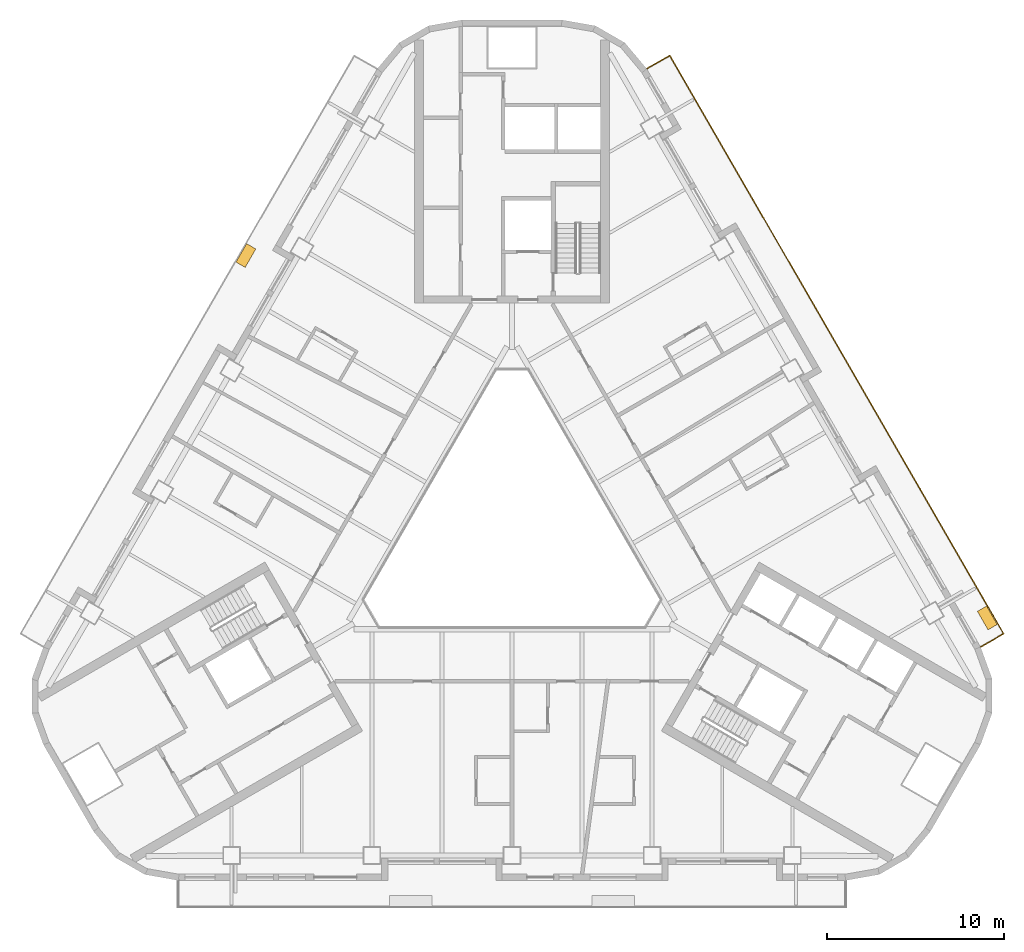
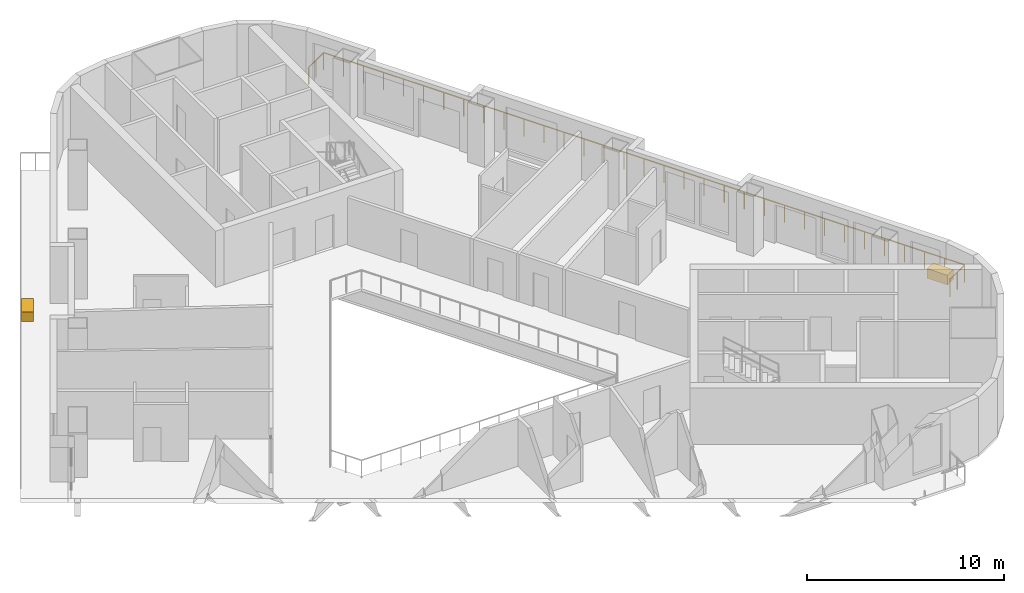
# One storey, part 12 of 13: 2 coverings, 1 railing.
"""IFC4 building model written with IfcOpenShell, lengths in metres."""

import ifcopenshell
import ifcopenshell.guid

model = None  # the IFC model being written
_history = None  # IfcOwnerHistory: only IFC2X3 demands one
_inside = {}  # id of a spatial element -> (the spatial element, [elements in it])
_under = {}  # id of a project, library or spatial element -> (it, [spatial elements below it])
_declared = {}  # id of a project -> (the project, [libraries it declares])
_typed = {}  # id of a type object -> (the type object, [elements of that type])
_made_of = {}  # id of a material, layer set ... -> (it, [elements and type objects made of it])


def new_model(schema):
    """Start an empty IFC model of exactly this schema.

    Asked for "IFC4X3", IfcOpenShell would pick the latest addendum, in which some entities
    have other attributes; the version numbers below select the first issue.
    IFC2X3 requires an IfcOwnerHistory on every rooted entity: one is made here for all.
    """
    global model, _history
    if schema == "IFC4X3":
        model = ifcopenshell.file(schema_version=(4, 3, 0, 0))
    else:
        model = ifcopenshell.file(schema=schema)
    _inside.clear()
    _under.clear()
    _declared.clear()
    _typed.clear()
    _made_of.clear()
    _history = None
    if model.schema == "IFC2X3":
        org = make("IfcOrganization", Name="unknown")
        user = make(
            "IfcPersonAndOrganization",
            ThePerson=make("IfcPerson", FamilyName="unknown"),
            TheOrganization=org,
        )
        app = make(
            "IfcApplication",
            ApplicationDeveloper=org,
            Version="unknown",
            ApplicationFullName="unknown",
            ApplicationIdentifier="unknown",
        )
        _history = make(
            "IfcOwnerHistory",
            OwningUser=user,
            OwningApplication=app,
            ChangeAction="ADDED",
            CreationDate=0,
        )
    return model


def make(cls, **values):
    """One entity of the class cls with the attributes given. An attribute that is None is left unset."""
    return model.create_entity(
        cls, **{name: value for name, value in values.items() if value is not None}
    )


def rooted(cls, **values):
    """An entity with a GlobalId (a new one), such as an element, a storey or a relation."""
    return make(cls, GlobalId=ifcopenshell.guid.new(), OwnerHistory=_history, **values)


def si_unit(unit_type, name, prefix=None):
    """IfcSIUnit, for example si_unit("LENGTHUNIT", "METRE", prefix="MILLI")."""
    return make("IfcSIUnit", UnitType=unit_type, Prefix=prefix, Name=name)


def assignment(units):
    """IfcUnitAssignment: the units of a project."""
    return None if units is None else make("IfcUnitAssignment", Units=units)


def point(xyz):
    """IfcCartesianPoint."""
    return None if xyz is None else make("IfcCartesianPoint", Coordinates=xyz)


def direction(xyz):
    """IfcDirection."""
    return None if xyz is None else make("IfcDirection", DirectionRatios=xyz)


def frame(location, z_axis=None, x_axis=None):
    """IfcAxis2Placement3D, a coordinate frame: its origin and axes. An axis left out is left unset."""
    return make(
        "IfcAxis2Placement3D",
        Location=point(location),
        Axis=direction(z_axis),
        RefDirection=direction(x_axis),
    )


def frame_2d(location, x_axis=None):
    """IfcAxis2Placement2D, a coordinate frame in the plane: its origin and x axis."""
    return make(
        "IfcAxis2Placement2D", Location=point(location), RefDirection=direction(x_axis)
    )


def origin():
    """The frame at (0, 0, 0) with its axes left unset."""
    return frame((0.0, 0.0, 0.0))


def origin_2d():
    """The frame at (0, 0) in the plane with its x axis left unset."""
    return frame_2d((0.0, 0.0))


def place(relative_to, where):
    """IfcLocalPlacement: puts the frame where relative to a parent placement (None: the world)."""
    return make(
        "IfcLocalPlacement", PlacementRelTo=relative_to, RelativePlacement=where
    )


def context(
    kind, dimensions, precision=None, world=None, true_north=None, identifier=None
):
    """IfcGeometricRepresentationContext, for example the 3D "Model" context."""
    return make(
        "IfcGeometricRepresentationContext",
        ContextIdentifier=identifier,
        ContextType=kind,
        CoordinateSpaceDimension=dimensions,
        Precision=precision,
        WorldCoordinateSystem=world,
        TrueNorth=true_north,
    )


def subcontext(parent, identifier, kind, view, scale=None):
    """IfcGeometricRepresentationSubContext, for example "Body" below "Model"."""
    return make(
        "IfcGeometricRepresentationSubContext",
        ContextIdentifier=identifier,
        ContextType=kind,
        ParentContext=parent,
        TargetScale=scale,
        TargetView=view,
    )


def project(units=None, contexts=None):
    """IfcProject with its units and contexts."""
    return rooted(
        "IfcProject",
        Name="project",
        RepresentationContexts=contexts,
        UnitsInContext=assignment(units),
    )


def spatial(cls, under=None, at=None, **own):
    """A site, building, storey or space (cls), placed at a placement, below another one or the project."""
    s = rooted(cls, ObjectPlacement=at, **own)
    if under is not None:
        _under.setdefault(under.id(), (under, []))[1].append(s)
    return s


def profile(cls, at=None, kind="AREA", **sizes):
    """A parametric profile (cls). Its sizes go by their IFC names, for example OverallWidth=200.0."""
    return make(cls, ProfileType=kind, Position=at, **sizes)


def rectangle(**sizes):
    """IfcRectangleProfileDef."""
    return profile("IfcRectangleProfileDef", **sizes)


def extrude(swept, where, along, depth):
    """IfcExtrudedAreaSolid: the profile swept, set in the frame where, extruded along a direction by depth."""
    return make(
        "IfcExtrudedAreaSolid",
        SweptArea=swept,
        Position=where,
        ExtrudedDirection=direction(along),
        Depth=depth,
    )


def shape(context_of_items, identifier, shape_type, items):
    """IfcShapeRepresentation: the items that make up one representation, for example the "Body"."""
    return make(
        "IfcShapeRepresentation",
        ContextOfItems=context_of_items,
        RepresentationIdentifier=identifier,
        RepresentationType=shape_type,
        Items=items,
    )


def material(Name=None, Category=None):
    """IfcMaterial."""
    return make("IfcMaterial", Name=Name, Category=Category)


def made_of(thing, what):
    """Note that an element or type object is made of a material, layer set ...; save() writes the relation."""
    if what is not None:
        _made_of.setdefault(what.id(), (what, []))[1].append(thing)
    return thing


def type_object(cls, material=None, **own):
    """A type object (cls), such as IfcWallType, which elements share."""
    return made_of(rooted(cls, **own), material)


def element(
    cls,
    number,
    at=None,
    inside=None,
    cuts=None,
    type_object=None,
    material=None,
    context=None,
    identifier="Body",
    shape_type=None,
    held_by="IfcProductDefinitionShape",
    body=None,
    shapes=None,
    **own,
):
    """One element of the class cls, such as IfcWall. Its Tag is "e" and its number.

    at: its placement. inside: the storey or other place that contains it. cuts: it is an
    opening in that element (IfcRelVoidsElement). A single representation is given by context,
    identifier, shape_type and body (its items); several are given by shapes. held_by: the class
    of the entity that holds the representations. save() writes the other relations.
    """
    e = rooted(cls, Tag="e%d" % number, ObjectPlacement=at, **own)
    if body is not None:
        shapes = [shape(context, identifier, shape_type, body)]
    if shapes is not None:
        e.Representation = make(held_by, Representations=shapes)
    if inside is not None:
        _inside.setdefault(inside.id(), (inside, []))[1].append(e)
    if cuts is not None:
        rooted(
            "IfcRelVoidsElement", RelatingBuildingElement=cuts, RelatedOpeningElement=e
        )
    if type_object is not None:
        _typed.setdefault(type_object.id(), (type_object, []))[1].append(e)
    return made_of(e, material)


def aggregate(whole, parts):
    """IfcRelAggregates: a whole, such as a stair, and the parts it consists of."""
    return rooted("IfcRelAggregates", RelatingObject=whole, RelatedObjects=parts)


def save(model, path):
    """Write the relations noted so far, then the file.

    IfcRelAggregates (storeys below a building ...), IfcRelContainedInSpatialStructure (elements
    in a storey), IfcRelDefinesByType, IfcRelAssociatesMaterial and IfcRelDeclares: one each for
    every whole, place, type object, material and project.
    """
    for whole, parts in _under.values():
        aggregate(whole, parts)
    for where, things in _inside.values():
        rooted(
            "IfcRelContainedInSpatialStructure",
            RelatedElements=things,
            RelatingStructure=where,
        )
    for kind, things in _typed.values():
        rooted("IfcRelDefinesByType", RelatedObjects=things, RelatingType=kind)
    for what, things in _made_of.values():
        rooted("IfcRelAssociatesMaterial", RelatedObjects=things, RelatingMaterial=what)
    for by, libraries in _declared.values():
        rooted("IfcRelDeclares", RelatingContext=by, RelatedDefinitions=libraries)
    model.write(path)


model = new_model("IFC4")

# Units and contexts
model_context = context("Model", 3, precision=1e-05, world=origin(), true_north=direction((0.0, 1.0)))
body_context = subcontext(model_context, "Body", "Model", "MODEL_VIEW")
ifc_project = project(units=[si_unit("LENGTHUNIT", "METRE"), si_unit("AREAUNIT", "SQUARE_METRE"), si_unit("VOLUMEUNIT", "CUBIC_METRE"), si_unit("PLANEANGLEUNIT", "RADIAN"), si_unit("MASSUNIT", "GRAM", prefix="KILO")], contexts=[model_context])

# Site, building, storey
site_placement = place(None, origin())
site = spatial("IfcSite", under=ifc_project, at=site_placement, CompositionType="ELEMENT")
building_placement = place(site_placement, origin())
building = spatial("IfcBuilding", under=site, at=building_placement, Name="Apuvela Tower Hotel", CompositionType="ELEMENT")
storey_placement = place(building_placement, frame((0.0, 0.0, 65.0)))
storey = spatial("IfcBuildingStorey", under=building, at=storey_placement, Name="L13", CompositionType="ELEMENT", Elevation=65.0)

# Railing
ifc_material_1 = material(Name="Stainless steel 316 rail with laminated glass infill", Category="steel")
railing_type = type_object("IfcRailingType", Name="ENV-GUARD-1100", PredefinedType="GUARDRAIL", material=ifc_material_1)
railing_placement = place(storey_placement, frame((26.407958984375, -6.47998046875, 0.0)))
element("IfcRailing", 1, at=railing_placement, inside=storey, type_object=railing_type, Name="Balcony guard NE L13", PredefinedType="GUARDRAIL", context=body_context, shape_type="SweptSolid", body=[
    extrude(rectangle(XDim=0.050048828125, YDim=0.050048828125, at=origin_2d()), frame((0.0, 0.0, 1.0751953125), z_axis=(0.866031096941, 0.499990139034, 0.0), x_axis=(-0.499990139034, 0.866031096941, 0.0)), (0.0, 0.0, 1.0), 1.5),
    extrude(rectangle(XDim=0.050048828125, YDim=0.050048828125, at=origin_2d()), frame((1.299072265625, 0.75, 1.0751953125), z_axis=(-0.500000437506, 0.86602515119, 0.0), x_axis=(-0.86602515119, -0.500000437506, 0.0)), (0.0, 0.0, 1.0), 37.6318359375),
    extrude(rectangle(XDim=0.050048828125, YDim=0.050048828125, at=origin_2d()), frame((-17.516845703125, 33.340087890625, 1.0751953125), z_axis=(-0.86599040064, -0.500060622324, 0.0), x_axis=(0.500060622324, -0.86599040064, 0.0)), (0.0, 0.0, 1.0), 1.499755859375),
    extrude(rectangle(XDim=0.0400390625, YDim=0.0400390625, at=origin_2d()), origin(), (0.0, 0.0, 1.0), 1.050048828125),
    extrude(rectangle(XDim=0.0400390625, YDim=0.0400390625, at=origin_2d()), frame((0.6494140625, 0.375, 0.0)), (0.0, 0.0, 1.0), 1.050048828125),
    extrude(rectangle(XDim=0.0400390625, YDim=0.0400390625, at=origin_2d()), frame((1.299072265625, 0.75, 0.0)), (0.0, 0.0, 1.0), 1.050048828125),
    extrude(rectangle(XDim=0.0400390625, YDim=0.0400390625, at=origin_2d()), frame((0.711181640625, 1.7685546875, 0.0)), (0.0, 0.0, 1.0), 1.050048828125),
    extrude(rectangle(XDim=0.0400390625, YDim=0.0400390625, at=origin_2d()), frame((0.123046875, 2.786865234375, 0.0)), (0.0, 0.0, 1.0), 1.050048828125),
    extrude(rectangle(XDim=0.0400390625, YDim=0.0400390625, at=origin_2d()), frame((-0.46484375, 3.805419921875, 0.0)), (0.0, 0.0, 1.0), 1.050048828125),
    extrude(rectangle(XDim=0.0400390625, YDim=0.0400390625, at=origin_2d()), frame((-1.052978515625, 4.82373046875, 0.0)), (0.0, 0.0, 1.0), 1.050048828125),
    extrude(rectangle(XDim=0.0400390625, YDim=0.0400390625, at=origin_2d()), frame((-1.640869140625, 5.84228515625, 0.0)), (0.0, 0.0, 1.0), 1.050048828125),
    extrude(rectangle(XDim=0.0400390625, YDim=0.0400390625, at=origin_2d()), frame((-2.22900390625, 6.860595703125, 0.0)), (0.0, 0.0, 1.0), 1.050048828125),
    extrude(rectangle(XDim=0.0400390625, YDim=0.0400390625, at=origin_2d()), frame((-2.81689453125, 7.879150390625, 0.0)), (0.0, 0.0, 1.0), 1.050048828125),
    extrude(rectangle(XDim=0.0400390625, YDim=0.0400390625, at=origin_2d()), frame((-3.40478515625, 8.8974609375, 0.0)), (0.0, 0.0, 1.0), 1.050048828125),
    extrude(rectangle(XDim=0.0400390625, YDim=0.0400390625, at=origin_2d()), frame((-3.992919921875, 9.916015625, 0.0)), (0.0, 0.0, 1.0), 1.050048828125),
    extrude(rectangle(XDim=0.0400390625, YDim=0.0400390625, at=origin_2d()), frame((-4.580810546875, 10.934326171875, 0.0)), (0.0, 0.0, 1.0), 1.050048828125),
    extrude(rectangle(XDim=0.0400390625, YDim=0.0400390625, at=origin_2d()), frame((-5.1689453125, 11.952880859375, 0.0)), (0.0, 0.0, 1.0), 1.050048828125),
    extrude(rectangle(XDim=0.0400390625, YDim=0.0400390625, at=origin_2d()), frame((-5.7568359375, 12.97119140625, 0.0)), (0.0, 0.0, 1.0), 1.050048828125),
    extrude(rectangle(XDim=0.0400390625, YDim=0.0400390625, at=origin_2d()), frame((-6.344970703125, 13.98974609375, 0.0)), (0.0, 0.0, 1.0), 1.050048828125),
    extrude(rectangle(XDim=0.0400390625, YDim=0.0400390625, at=origin_2d()), frame((-6.932861328125, 15.008056640625, 0.0)), (0.0, 0.0, 1.0), 1.050048828125),
    extrude(rectangle(XDim=0.0400390625, YDim=0.0400390625, at=origin_2d()), frame((-7.52099609375, 16.026611328125, 0.0)), (0.0, 0.0, 1.0), 1.050048828125),
    extrude(rectangle(XDim=0.0400390625, YDim=0.0400390625, at=origin_2d()), frame((-8.10888671875, 17.044921875, 0.0)), (0.0, 0.0, 1.0), 1.050048828125),
    extrude(rectangle(XDim=0.0400390625, YDim=0.0400390625, at=origin_2d()), frame((-8.69677734375, 18.0634765625, 0.0)), (0.0, 0.0, 1.0), 1.050048828125),
    extrude(rectangle(XDim=0.0400390625, YDim=0.0400390625, at=origin_2d()), frame((-9.284912109375, 19.08203125, 0.0)), (0.0, 0.0, 1.0), 1.050048828125),
    extrude(rectangle(XDim=0.0400390625, YDim=0.0400390625, at=origin_2d()), frame((-9.872802734375, 20.100341796875, 0.0)), (0.0, 0.0, 1.0), 1.050048828125),
    extrude(rectangle(XDim=0.0400390625, YDim=0.0400390625, at=origin_2d()), frame((-10.4609375, 21.118896484375, 0.0)), (0.0, 0.0, 1.0), 1.050048828125),
    extrude(rectangle(XDim=0.0400390625, YDim=0.0400390625, at=origin_2d()), frame((-11.048828125, 22.13720703125, 0.0)), (0.0, 0.0, 1.0), 1.050048828125),
    extrude(rectangle(XDim=0.0400390625, YDim=0.0400390625, at=origin_2d()), frame((-11.636962890625, 23.15576171875, 0.0)), (0.0, 0.0, 1.0), 1.050048828125),
    extrude(rectangle(XDim=0.0400390625, YDim=0.0400390625, at=origin_2d()), frame((-12.224853515625, 24.174072265625, 0.0)), (0.0, 0.0, 1.0), 1.050048828125),
    extrude(rectangle(XDim=0.0400390625, YDim=0.0400390625, at=origin_2d()), frame((-12.81298828125, 25.192626953125, 0.0)), (0.0, 0.0, 1.0), 1.050048828125),
    extrude(rectangle(XDim=0.0400390625, YDim=0.0400390625, at=origin_2d()), frame((-13.40087890625, 26.2109375, 0.0)), (0.0, 0.0, 1.0), 1.050048828125),
    extrude(rectangle(XDim=0.0400390625, YDim=0.0400390625, at=origin_2d()), frame((-13.98876953125, 27.2294921875, 0.0)), (0.0, 0.0, 1.0), 1.050048828125),
    extrude(rectangle(XDim=0.0400390625, YDim=0.0400390625, at=origin_2d()), frame((-14.576904296875, 28.247802734375, 0.0)), (0.0, 0.0, 1.0), 1.050048828125),
    extrude(rectangle(XDim=0.0400390625, YDim=0.0400390625, at=origin_2d()), frame((-15.164794921875, 29.266357421875, 0.0)), (0.0, 0.0, 1.0), 1.050048828125),
    extrude(rectangle(XDim=0.0400390625, YDim=0.0400390625, at=origin_2d()), frame((-15.7529296875, 30.28466796875, 0.0)), (0.0, 0.0, 1.0), 1.050048828125),
    extrude(rectangle(XDim=0.0400390625, YDim=0.0400390625, at=origin_2d()), frame((-16.3408203125, 31.30322265625, 0.0)), (0.0, 0.0, 1.0), 1.050048828125),
    extrude(rectangle(XDim=0.0400390625, YDim=0.0400390625, at=origin_2d()), frame((-16.928955078125, 32.321533203125, 0.0)), (0.0, 0.0, 1.0), 1.050048828125),
    extrude(rectangle(XDim=0.0400390625, YDim=0.0400390625, at=origin_2d()), frame((-17.516845703125, 33.340087890625, 0.0)), (0.0, 0.0, 1.0), 1.050048828125),
    extrude(rectangle(XDim=0.0400390625, YDim=0.0400390625, at=origin_2d()), frame((-18.166259765625, 32.965087890625, 0.0)), (0.0, 0.0, 1.0), 1.050048828125),
    extrude(rectangle(XDim=0.0400390625, YDim=0.0400390625, at=origin_2d()), frame((-18.815673828125, 32.590087890625, 0.0)), (0.0, 0.0, 1.0), 1.050048828125),
])

# Coverings
ifc_material_2 = material(Name="Planting substrate and soil, planted")
covering_type = type_object("IfcCoveringType", Name="ENV-PLANTER-1200x600", PredefinedType="USERDEFINED", material=ifc_material_2)
for number, where, z_axis, x_axis, name in (
    (2, (26.788818359375, -4.839599609375, 0.0), (0.0, 0.0, 1.0), (-0.5, 0.866025403784, 0.0), "Planter NE3"),
    (3, (-14.99609375, 15.586181640625, 0.0), (0.0, 0.0, 1.0), (-0.5, -0.866025403784, 0.0), "Planter NW4"),
):
    element("IfcCovering", number, at=place(storey_placement, frame(where, z_axis=z_axis, x_axis=x_axis)), inside=storey, type_object=covering_type, Name=name, ObjectType="PLANTER", PredefinedType="USERDEFINED", context=body_context, shape_type="SweptSolid", body=[
        extrude(rectangle(XDim=1.199951171875, YDim=0.60009765625, at=origin_2d()), origin(), (0.0, 0.0, 1.0), 0.60009765625),
    ])

save(model, "model.ifc")
